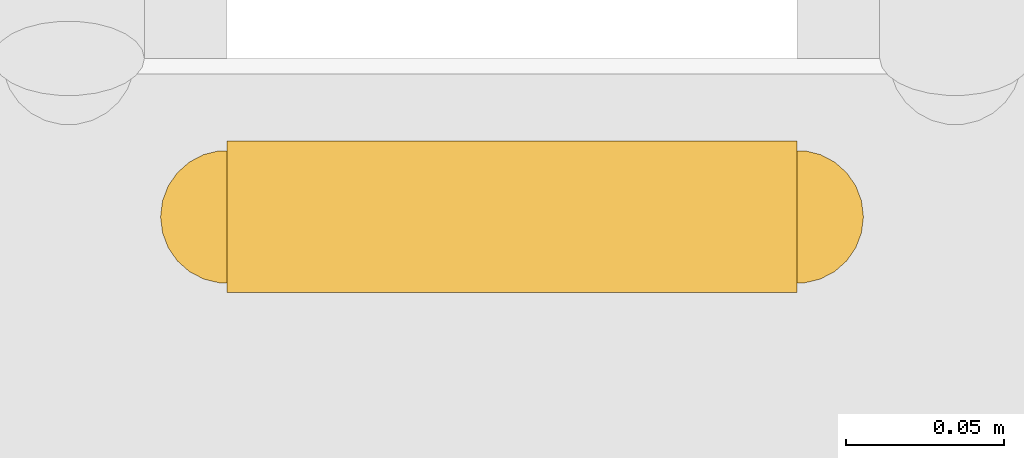
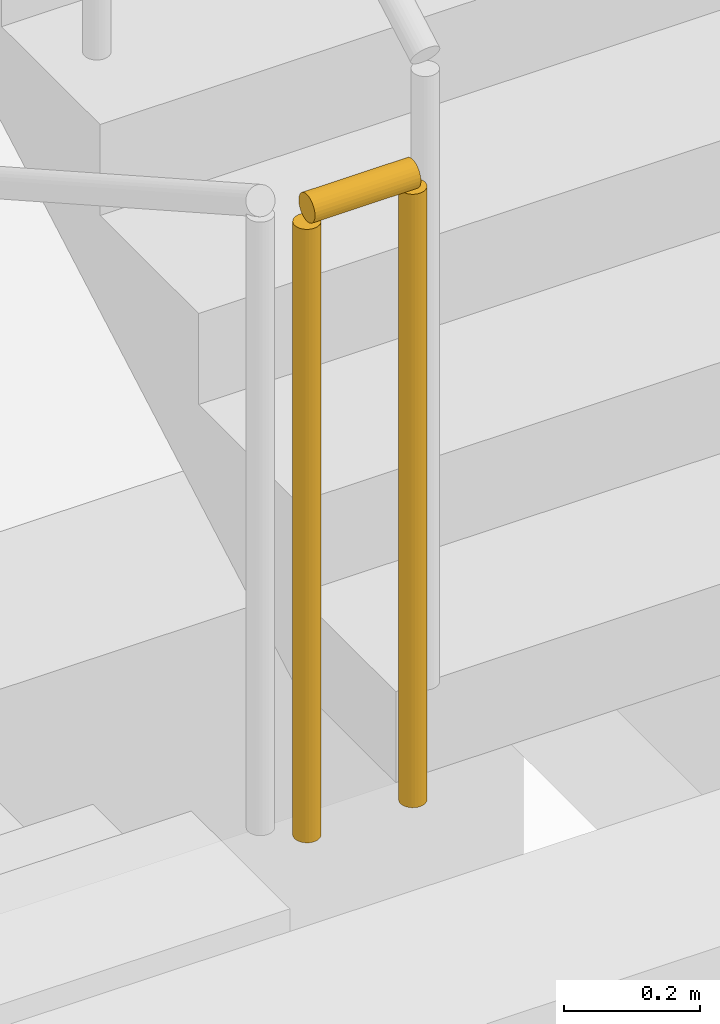
# One storey, part 9 of 13: 1 railing.
"""IFC4 building model written with IfcOpenShell, lengths in metres."""

from ifc_helpers import new_model, si_unit, direction, frame, origin, origin_2d, place, context, subcontext, project, spatial, circle, extrude, material, type_object, element, save


model = new_model("IFC4")

# Units and contexts
model_context = context("Model", 3, precision=1e-05, world=origin(), true_north=direction((0.0, 1.0)))
body_context = subcontext(model_context, "Body", "Model", "MODEL_VIEW")
ifc_project = project(units=[si_unit("LENGTHUNIT", "METRE"), si_unit("AREAUNIT", "SQUARE_METRE"), si_unit("VOLUMEUNIT", "CUBIC_METRE"), si_unit("PLANEANGLEUNIT", "RADIAN"), si_unit("MASSUNIT", "GRAM", prefix="KILO")], contexts=[model_context])

# Site, building, storey
site_placement = place(None, origin())
site = spatial("IfcSite", under=ifc_project, at=site_placement, CompositionType="ELEMENT")
building_placement = place(site_placement, origin())
building = spatial("IfcBuilding", under=site, at=building_placement, Name="Calvemar Wedge Station Tower", CompositionType="ELEMENT")
storey_placement = place(building_placement, frame((0.0, 0.0, 132.199951171875)))
storey = spatial("IfcBuildingStorey", under=building, at=storey_placement, Name="L32", CompositionType="ELEMENT", Elevation=132.199951171875)

# Railing
ifc_material = material(Name="Painted steel guardrail ASTM A500 Grade C", Category="steel")
railing_type = type_object("IfcRailingType", Name="RL-STAIR-GUARD-1150", PredefinedType="GUARDRAIL", material=ifc_material)
railing_placement = place(storey_placement, frame((18.260009765625, 38.199951171875, 1.800048828125)))
element("IfcRailing", 1, at=railing_placement, inside=storey, type_object=railing_type, Name="L32 ST-C1 stair guard 2", PredefinedType="GUARDRAIL", context=body_context, shape_type="SweptSolid", body=[
    extrude(circle(Radius=0.02392578125, at=origin_2d()), frame((0.0, 0.0, 1.1259765625), z_axis=(1.0, 0.0, 0.0), x_axis=(0.0, 1.0, 0.0)), (0.0, 0.0, 1.0), 0.179931640625),
    extrude(circle(Radius=0.02099609375, at=origin_2d()), origin(), (0.0, 0.0, 1.0), 1.101806640625),
    extrude(circle(Radius=0.02099609375, at=origin_2d()), frame((0.179931640625, 0.0, 0.0)), (0.0, 0.0, 1.0), 1.101806640625),
])

save(model, "model.ifc")
